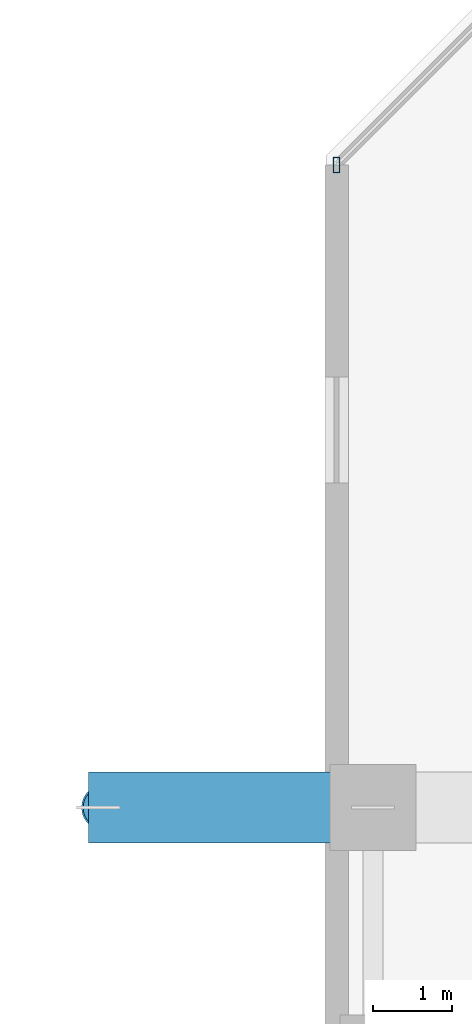
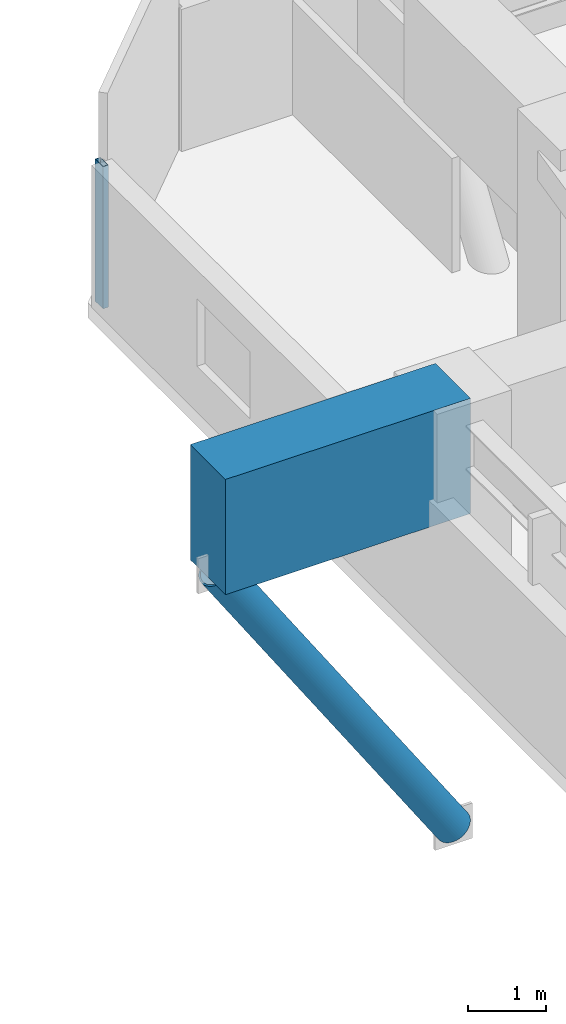
# One storey, part 11 of 36: 2 members, 1 beam, 1 element without a shape of its own.
"""IFC4 building model written with IfcOpenShell, lengths in metres."""

from ifc_helpers import new_model, si_unit, direction, frame, origin, origin_2d, place, context, subcontext, project, spatial, rectangle, hollow_rectangle, hollow_circle, extrude, material, material_profile, profile_set, type_object, element, aggregate, save


model = new_model("IFC4")

# Units and contexts
model_context = context("Model", 3, precision=1e-05, world=origin(), true_north=direction((0.0, 1.0)))
body_context = subcontext(model_context, "Body", "Model", "MODEL_VIEW")
ifc_project = project(units=[si_unit("LENGTHUNIT", "METRE"), si_unit("AREAUNIT", "SQUARE_METRE"), si_unit("VOLUMEUNIT", "CUBIC_METRE"), si_unit("PLANEANGLEUNIT", "RADIAN"), si_unit("MASSUNIT", "GRAM", prefix="KILO")], contexts=[model_context])

# Site, building, storey
site_placement = place(None, origin())
site = spatial("IfcSite", under=ifc_project, at=site_placement, CompositionType="ELEMENT")
building_placement = place(site_placement, origin())
building = spatial("IfcBuilding", under=site, at=building_placement, Name="Thornwick Lancets Civic Towers", CompositionType="ELEMENT")
storey_placement = place(building_placement, frame((0.0, 0.0, 170.699951171875)))
storey = spatial("IfcBuildingStorey", under=building, at=storey_placement, Name="L45", CompositionType="ELEMENT", Elevation=170.699951171875)

# Beam
ifc_material_1 = material(Name="Concrete C60/75", Category="concrete")
ifc_material_profile_1 = material_profile(ifc_material_1, rectangle(XDim=0.89990234375, YDim=1.800048828125, at=origin_2d()), Name="RC 900x1800")
ifc_profile_set_1 = profile_set([ifc_material_profile_1], Name="Concrete C60/75")
beam_type = type_object("IfcBeamType", Name="BM_TR_RC1800", PredefinedType="BEAM", material=ifc_profile_set_1)
beam_placement = place(storey_placement, frame((71.199951171875, 40.0, 2.699951171875), z_axis=(-1.0, 0.0, 0.0), x_axis=(0.0, -1.0, 0.0)))
element("IfcBeam", 1, at=beam_placement, inside=storey, type_object=beam_type, Name="TG-CANT-L46-B09", PredefinedType="BEAM", context=body_context, shape_type="SweptSolid", body=[
    extrude(rectangle(XDim=0.89990234375, YDim=1.800048828125, at=origin_2d()), origin(), (0.0, 0.0, 1.0), 3.619873046875),
])

# Curtain wall, member
ifc_material_2 = material(Name="Mid-zone chamfered-corner unitised glass curtain wall", Category="glass")
curtain_wall_type = type_object("IfcCurtainWallType", Name="CW_SYS_04", PredefinedType="NOTDEFINED", material=ifc_material_2)
curtain_wall_placement = place(storey_placement, origin())
curtain_wall = element("IfcCurtainWall", 2, at=curtain_wall_placement, inside=storey, type_object=curtain_wall_type, Name="L45 Curtain Wall CW-L45-B-E5", PredefinedType="NOTDEFINED")
ifc_material_3 = material(Name="Thermally broken bronze aluminium S355", Category="steel")
ifc_material_profile_2 = material_profile(ifc_material_3, hollow_rectangle(XDim=0.080078125, YDim=0.199951171875, WallThickness=0.006103515625, at=origin_2d()), Name="RHS 200x80x6")
ifc_profile_set_2 = profile_set([ifc_material_profile_2], Name="Thermally broken bronze aluminium S355")
member_type_1 = type_object("IfcMemberType", Name="CW_MUL_200", PredefinedType="MULLION", material=ifc_profile_set_2)
member_1_placement = place(storey_placement, frame((70.7353515625, 48.181396484375, 0.0), z_axis=(0.0, 0.0, 1.0), x_axis=(1.0, 0.0, 0.0)))
member_1 = element("IfcMember", 3, at=member_1_placement, type_object=member_type_1, Name="CW-L45-B-E5 Mullion 1", PredefinedType="MULLION", context=body_context, shape_type="SweptSolid", body=[
    extrude(hollow_rectangle(XDim=0.080078125, YDim=0.199951171875, WallThickness=0.006103515625, at=origin_2d()), origin(), (0.0, 0.0, 1.0), 2.219970703125),
])
aggregate(curtain_wall, [member_1])

# Member
ifc_material_4 = material(Name="Steel S460M", Category="steel")
ifc_material_profile_3 = material_profile(ifc_material_4, hollow_circle(Radius=0.25390625, WallThickness=0.02490234375, at=origin_2d()), Name="CHS 508x25")
ifc_profile_set_3 = profile_set([ifc_material_profile_3], Name="Steel S460M")
member_type_2 = type_object("IfcMemberType", Name="MEM_STRUT_CHS508", PredefinedType="STRUT", material=ifc_profile_set_3)
member_2_placement = place(storey_placement, frame((71.199951171875, 40.0, -3.349853515625), z_axis=(-0.556167580628, 0.0, 0.831070166868), x_axis=(0.0, -1.0, 0.0)))
element("IfcMember", 4, at=member_2_placement, inside=storey, type_object=member_type_2, Name="L46 Jenga Transfer Raking Strut B09", PredefinedType="STRUT", context=body_context, shape_type="SweptSolid", body=[
    extrude(hollow_circle(Radius=0.25390625, WallThickness=0.02490234375, at=origin_2d()), origin(), (0.0, 0.0, 1.0), 6.29296875),
])

save(model, "model.ifc")
